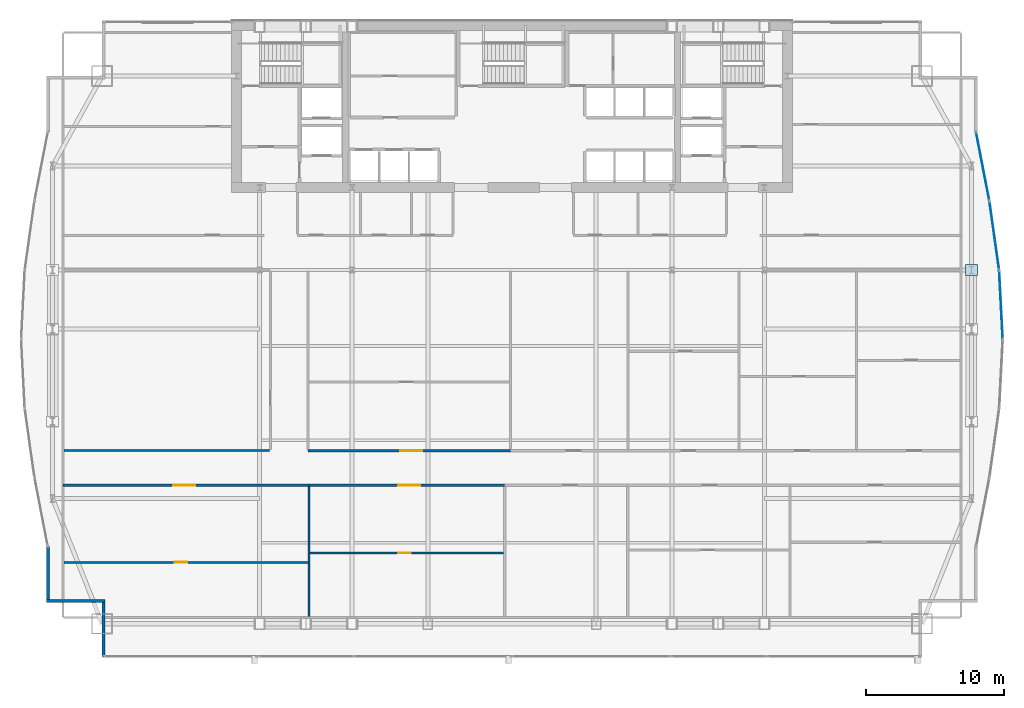
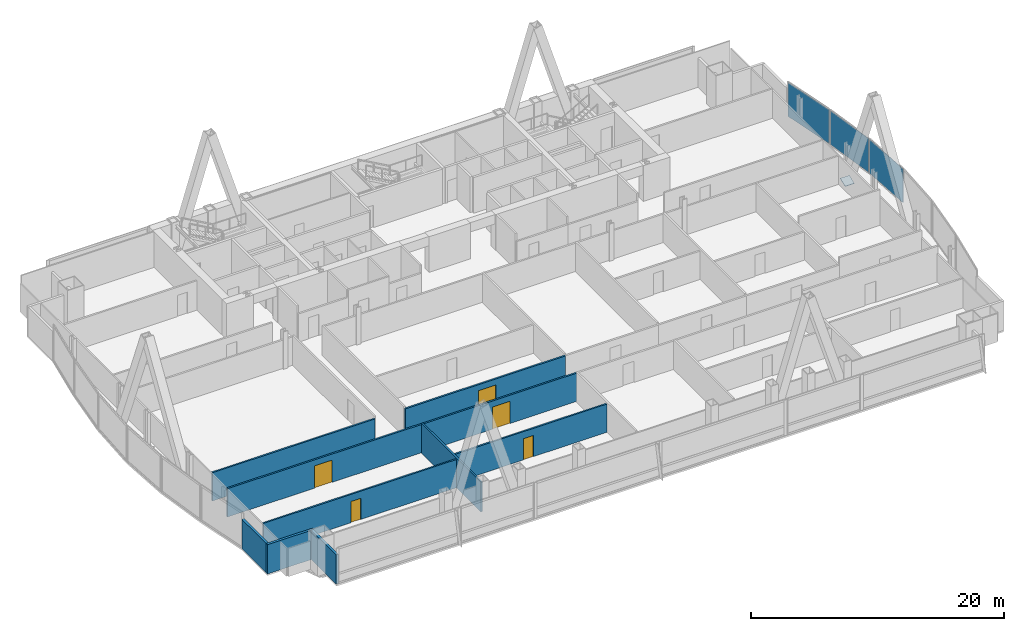
# One storey, part 26 of 33: 10 walls, 5 doors, 4 plates, 5 openings, 3 elements without a shape of their own.
"""IFC4 building model written with IfcOpenShell, lengths in metres."""

from ifc_helpers import new_model, si_unit, direction, frame, frame_2d, origin, origin_2d, place, context, subcontext, project, spatial, polyline, rectangle, outline, extrude, material, layer, layer_set, type_object, element, fill, aggregate, save


model = new_model("IFC4")

# Units and contexts
model_context = context("Model", 3, precision=1e-05, world=origin(), true_north=direction((0.0, 1.0)))
body_context = subcontext(model_context, "Body", "Model", "MODEL_VIEW")
ifc_project = project(units=[si_unit("LENGTHUNIT", "METRE"), si_unit("AREAUNIT", "SQUARE_METRE"), si_unit("VOLUMEUNIT", "CUBIC_METRE"), si_unit("PLANEANGLEUNIT", "RADIAN"), si_unit("MASSUNIT", "GRAM", prefix="KILO")], contexts=[model_context])

# Site, building, storey
site_placement = place(None, origin())
site = spatial("IfcSite", under=ifc_project, at=site_placement, CompositionType="ELEMENT")
building_placement = place(site_placement, origin())
building = spatial("IfcBuilding", under=site, at=building_placement, Name="Khoronbel Lancet Exchange", CompositionType="ELEMENT")
storey_placement = place(building_placement, frame((0.0, 0.0, 118.199951171875)))
storey = spatial("IfcBuildingStorey", under=building, at=storey_placement, Name="L28", CompositionType="ELEMENT", Elevation=118.199951171875)

# Curtain wall, plate
ifc_material_1 = material(Name="Low-E Solar Control Insulating Glass", Category="glass")
curtain_wall_type = type_object("IfcCurtainWallType", Name="CW-4", PredefinedType="NOTDEFINED", material=ifc_material_1)
curtain_wall_1_placement = place(storey_placement, origin())
curtain_wall_1 = element("IfcCurtainWall", 1, at=curtain_wall_1_placement, inside=storey, type_object=curtain_wall_type, Name="Unitised curtain wall CW-L28-E18", PredefinedType="NOTDEFINED")
ifc_material_2 = material(Name="Bronze-Anodised Aluminium 6063-T6", Category="aluminium")
ifc_layer_1 = layer(ifc_material_2, 0.050048828125, Name="Bronze-Anodised Aluminium 6063-T6")
ifc_layer_set_1 = layer_set([ifc_layer_1], Name="Bronze-Anodised Aluminium 6063-T6")
plate_type_1 = type_object("IfcPlateType", Name="PLT-CSP1", PredefinedType="SHEET", material=ifc_layer_set_1)
plate_1_placement = place(storey_placement, frame((71.279296875, 38.188232421875, 0.0849609375), z_axis=(0.0, 0.0, 1.0), x_axis=(0.139924986756, -0.990162106971, 0.0)))
plate_1 = element("IfcPlate", 2, at=plate_1_placement, type_object=plate_type_1, Name="CW4 panel 1.1", PredefinedType="CURTAIN_PANEL", context=body_context, shape_type="SweptSolid", body=[
    extrude(rectangle(XDim=4.893310546875, YDim=0.0380859375, at=origin_2d()), origin(), (0.0, 0.0, 1.0), 3.27001953125),
])
aggregate(curtain_wall_1, [plate_1])

curtain_wall_2_placement = place(storey_placement, origin())
curtain_wall_2 = element("IfcCurtainWall", 3, at=curtain_wall_2_placement, inside=storey, type_object=curtain_wall_type, Name="Unitised curtain wall CW-L28-E19", PredefinedType="NOTDEFINED")
plate_2_placement = place(storey_placement, frame((71.76123046875, 33.19580078125, 0.0849609375), z_axis=(0.0, 0.0, 1.0), x_axis=(0.051659901994, -0.998664735798, 0.0)))
plate_2 = element("IfcPlate", 4, at=plate_2_placement, type_object=plate_type_1, Name="CW4 panel 1.1", PredefinedType="CURTAIN_PANEL", context=body_context, shape_type="SweptSolid", body=[
    extrude(rectangle(XDim=4.84814453125, YDim=0.0380859375, at=origin_2d()), origin(), (0.0, 0.0, 1.0), 3.27001953125),
])
aggregate(curtain_wall_2, [plate_2])

curtain_wall_3_placement = place(storey_placement, origin())
curtain_wall_3 = element("IfcCurtainWall", 5, at=curtain_wall_3_placement, inside=storey, type_object=curtain_wall_type, Name="Unitised curtain wall CW-L28-E17", PredefinedType="NOTDEFINED")
ifc_material_3 = material(Name="Ceramic-Fritted Laminated Insulating Glass", Category="glass")
ifc_layer_2 = layer(ifc_material_3, 0.0419921875, Name="Ceramic-Fritted Laminated Insulating Glass")
ifc_layer_set_2 = layer_set([ifc_layer_2], Name="Ceramic-Fritted Laminated Insulating Glass")
plate_type_2 = type_object("IfcPlateType", Name="PLT-CWP2", PredefinedType="CURTAIN_PANEL", material=ifc_layer_set_2)
plate_3_placement = place(storey_placement, frame((70.443115234375, 43.188232421875, 0.0849609375), z_axis=(0.0, 0.0, 1.0), x_axis=(0.189541332498, -0.981872742913, 0.0)))
plate_3 = element("IfcPlate", 6, at=plate_3_placement, type_object=plate_type_2, Name="CW4 panel 1.1", PredefinedType="CURTAIN_PANEL", context=body_context, shape_type="SweptSolid", body=[
    extrude(rectangle(XDim=4.94873046875, YDim=0.0380859375, at=origin_2d()), origin(), (0.0, 0.0, 1.0), 3.27001953125),
])
aggregate(curtain_wall_3, [plate_3])

# Plate
ifc_material_4 = material(Name="Steel S460", Category="steel")
ifc_layer_3 = layer(ifc_material_4, 0.044921875, Name="Steel S460")
ifc_layer_set_3 = layer_set([ifc_layer_3], Name="Steel S460")
plate_type_3 = type_object("IfcPlateType", Name="PLT-ECP1", PredefinedType="USERDEFINED", material=ifc_layer_set_3)
plate_4_placement = place(storey_placement, frame((69.2099609375, 35.30517578125, -0.143310546875), z_axis=(0.0, -0.367980392152, 0.929833550154), x_axis=(1.0, 0.0, 0.0)))
element("IfcPlate", 7, at=plate_4_placement, inside=storey, type_object=plate_type_3, Name="Hollow end cap plate PLT-CAP-MEM-MB-T09-E-P-R-0", ObjectType="STIFFENER_PLATE", PredefinedType="USERDEFINED", context=body_context, shape_type="SweptSolid", body=[
    extrude(outline(polyline([(0.0, 0.0), (0.840087890625, 0.0), (0.840087890625, 0.83984375), (0.0, 0.83984375), (0.0, 0.0)])), origin(), (0.0, 0.0, -1.0), 0.044921875),
])

# Walls
ifc_material_5 = material(Name="Precast concrete C40/50", Category="concrete")
ifc_layer_4 = layer(ifc_material_5, 0.25, Name="Precast concrete C40/50")
ifc_layer_set_4 = layer_set([ifc_layer_4], Name="Precast concrete C40/50")
wall_type_1 = type_object("IfcWallType", Name="WL-EXT250", PredefinedType="SOLIDWALL", material=ifc_layer_set_4)
wall_1_placement = place(storey_placement, frame((6.93994140625, 7.77001953125, 0.0), z_axis=(0.0, 0.0, 1.0), x_axis=(0.0, 1.0, 0.0)))
element("IfcWall", 8, at=wall_1_placement, inside=storey, type_object=wall_type_1, Name="Level L28 notched-corner limestone pier 01", PredefinedType="SOLIDWALL", context=body_context, shape_type="SweptSolid", body=[
    extrude(rectangle(XDim=3.909912109375, YDim=0.219970703125, at=frame_2d((1.955078125, 0.0))), origin(), (0.0, 0.0, 1.0), 2.830078125),
])
wall_2_placement = place(storey_placement, frame((7.050048828125, 11.7900390625, 0.0), z_axis=(0.0, 0.0, 1.0), x_axis=(-1.0, 0.0, 0.0)))
element("IfcWall", 9, at=wall_2_placement, inside=storey, type_object=wall_type_1, Name="Level L28 notched-corner limestone pier 02", PredefinedType="SOLIDWALL", context=body_context, shape_type="SweptSolid", body=[
    extrude(rectangle(XDim=4.219970703125, YDim=0.219970703125, at=frame_2d((2.10986328125, 0.0))), origin(), (0.0, 0.0, 1.0), 2.830078125),
])
wall_3_placement = place(storey_placement, frame((2.93994140625, 11.89990234375, 0.0), z_axis=(0.0, 0.0, 1.0), x_axis=(0.0, 1.0, 0.0)))
element("IfcWall", 10, at=wall_3_placement, inside=storey, type_object=wall_type_1, Name="Level L28 notched-corner limestone pier 03", PredefinedType="SOLIDWALL", context=body_context, shape_type="SweptSolid", body=[
    extrude(rectangle(XDim=3.82861328125, YDim=0.219970703125, at=frame_2d((1.914306640625, 0.0))), origin(), (0.0, 0.0, 1.0), 2.830078125),
])

# Wall, opening, door
ifc_material_6 = material(Name="Acoustic Metal-Stud & Mineral-Wool Gypsum Partition 120 mm", Category="gypsum")
ifc_layer_5 = layer(ifc_material_6, 0.1201171875, Name="Acoustic Metal-Stud & Mineral-Wool Gypsum Partition 120 mm")
ifc_layer_set_5 = layer_set([ifc_layer_5], Name="Acoustic Metal-Stud & Mineral-Wool Gypsum Partition 120 mm")
wall_type_2 = type_object("IfcWallType", Name="WL-PRT120", PredefinedType="PARTITIONING", material=ifc_layer_set_5)
wall_4_placement = place(storey_placement, frame((4.094970703125, 14.58447265625, 0.0), z_axis=(0.0, 0.0, 1.0), x_axis=(1.0, 0.0, 0.0)))
wall_4 = element("IfcWall", 11, at=wall_4_placement, inside=storey, type_object=wall_type_2, Name="Level L28 interior partition PW-Z2S-H1", PredefinedType="PARTITIONING", context=body_context, shape_type="SweptSolid", body=[
    extrude(rectangle(XDim=17.6201171875, YDim=0.14990234375, at=frame_2d((8.81005859375, 0.0))), origin(), (0.0, 0.0, 1.0), 2.72998046875),
])
opening_1_placement = place(wall_4_placement, frame((7.994384765625, 0.0, 0.0)))
opening_1 = element("IfcOpeningElement", 12, at=opening_1_placement, cuts=wall_4, Name="Opening D5", PredefinedType="OPENING", context=body_context, shape_type="SweptSolid", body=[
    extrude(rectangle(XDim=0.89990234375, YDim=2.050048828125, at=frame_2d((0.449951171875, 1.02490234375))), frame((0.0, 0.0849609375, 0.0), z_axis=(0.0, -1.0, 0.0), x_axis=(1.0, 0.0, 0.0)), (0.0, 0.0, 1.0), 0.169921875),
])
ifc_material_7 = material(Name="Acoustic Timber Pantry & Support Door", Category="wood")
door_type_1 = type_object("IfcDoorType", Name="DR-D5", OperationType="NOTDEFINED", PredefinedType="DOOR", material=ifc_material_7)
door_1_placement = place(opening_1_placement, origin())
door_1 = element("IfcDoor", 13, at=door_1_placement, inside=storey, type_object=door_type_1, Name="Z2S inner door 1 L28-1", OperationType="SINGLE_SWING_LEFT", OverallHeight=2.050048828125, OverallWidth=0.89990234375, PredefinedType="DOOR", context=body_context, shape_type="SweptSolid", body=[
    extrude(rectangle(XDim=0.89990234375, YDim=2.050048828125, at=frame_2d((0.449951171875, 1.02490234375))), frame((0.0, 0.02490234375, 0.0), z_axis=(0.0, -1.0, 0.0), x_axis=(1.0, 0.0, 0.0)), (0.0, 0.0, 1.0), 0.050048828125),
])
fill(opening_1, door_1)

wall_5_placement = place(storey_placement, frame((21.875, 15.260986328125, 0.0), z_axis=(0.0, 0.0, 1.0), x_axis=(1.0, 0.0, 0.0)))
wall_5 = element("IfcWall", 14, at=wall_5_placement, inside=storey, type_object=wall_type_2, Name="Level L28 interior partition PW-Z2S-H2", PredefinedType="PARTITIONING", context=body_context, shape_type="SweptSolid", body=[
    extrude(rectangle(XDim=13.968994140625, YDim=0.14990234375, at=frame_2d((6.984375, 0.0))), origin(), (0.0, 0.0, 1.0), 2.72998046875),
])
opening_2_placement = place(wall_5_placement, frame((6.358154296875, 0.0, 0.0)))
opening_2 = element("IfcOpeningElement", 15, at=opening_2_placement, cuts=wall_5, Name="Opening D5", PredefinedType="OPENING", context=body_context, shape_type="SweptSolid", body=[
    extrude(rectangle(XDim=0.89990234375, YDim=2.050048828125, at=frame_2d((0.449951171875, 1.02490234375))), frame((0.0, 0.0849609375, 0.0), z_axis=(0.0, -1.0, 0.0), x_axis=(1.0, 0.0, 0.0)), (0.0, 0.0, 1.0), 0.169921875),
])
door_2_placement = place(opening_2_placement, origin())
door_2 = element("IfcDoor", 16, at=door_2_placement, inside=storey, type_object=door_type_1, Name="Z2S inner door 2 L28-1", OperationType="SINGLE_SWING_RIGHT", OverallHeight=2.050048828125, OverallWidth=0.89990234375, PredefinedType="DOOR", context=body_context, shape_type="SweptSolid", body=[
    extrude(rectangle(XDim=0.89990234375, YDim=2.050048828125, at=frame_2d((0.449951171875, 1.02490234375))), frame((0.0, 0.02490234375, 0.0), z_axis=(0.0, -1.0, 0.0), x_axis=(1.0, 0.0, 0.0)), (0.0, 0.0, 1.0), 0.050048828125),
])
fill(opening_2, door_2)

# Walls
ifc_material_8 = material(Name="Fire-Rated Twin-Stud Acoustic Gypsum Partition 150 mm", Category="gypsum")
ifc_layer_6 = layer(ifc_material_8, 0.14990234375, Name="Fire-Rated Twin-Stud Acoustic Gypsum Partition 150 mm")
ifc_layer_set_6 = layer_set([ifc_layer_6], Name="Fire-Rated Twin-Stud Acoustic Gypsum Partition 150 mm")
wall_type_3 = type_object("IfcWallType", Name="WL-PRT150C", PredefinedType="PARTITIONING", material=ifc_layer_set_6)
wall_6_placement = place(storey_placement, frame((21.795166015625, 10.6650390625, 0.0), z_axis=(0.0, 0.0, 1.0), x_axis=(0.0, 1.0, 0.0)))
element("IfcWall", 17, at=wall_6_placement, inside=storey, type_object=wall_type_3, Name="Level L28 interior partition PW-Z2S-V1", PredefinedType="PARTITIONING", context=body_context, shape_type="SweptSolid", body=[
    extrude(rectangle(XDim=9.39990234375, YDim=0.14990234375, at=frame_2d((4.699951171875, 0.0))), origin(), (0.0, 0.0, 1.0), 2.880126953125),
])
wall_7_placement = place(storey_placement, frame((4.094970703125, 22.64990234375, 0.0), z_axis=(0.0, 0.0, 1.0), x_axis=(1.0, 0.0, 0.0)))
element("IfcWall", 18, at=wall_7_placement, inside=storey, type_object=wall_type_3, Name="Level L28 interior partition PW-Z2-WS", PredefinedType="PARTITIONING", context=body_context, shape_type="SweptSolid", body=[
    extrude(rectangle(XDim=14.844970703125, YDim=0.14990234375, at=frame_2d((7.42236328125, 0.0))), origin(), (0.0, 0.0, 1.0), 2.72998046875),
])

# Wall, opening, door
ifc_material_9 = material(Name="Fire-Rated Twin-Stud Acoustic Gypsum Partition 160 mm", Category="gypsum")
ifc_layer_7 = layer(ifc_material_9, 0.159912109375, Name="Fire-Rated Twin-Stud Acoustic Gypsum Partition 160 mm")
ifc_layer_set_7 = layer_set([ifc_layer_7], Name="Fire-Rated Twin-Stud Acoustic Gypsum Partition 160 mm")
wall_type_4 = type_object("IfcWallType", Name="WL-PRT160C", PredefinedType="PARTITIONING", material=ifc_layer_set_7)
wall_8_placement = place(storey_placement, frame((4.030029296875, 20.14990234375, 0.0), z_axis=(0.0, 0.0, 1.0), x_axis=(1.0, 0.0, 0.0)))
wall_8 = element("IfcWall", 19, at=wall_8_placement, inside=storey, type_object=wall_type_4, Name="Level L28 interior partition PW-Z2S-COR1", PredefinedType="PARTITIONING", context=body_context, shape_type="SweptSolid", body=[
    extrude(rectangle(XDim=17.76513671875, YDim=0.159912109375, at=frame_2d((8.882568359375, 0.0))), origin(), (0.0, 0.0, 1.0), 2.72998046875),
])
opening_3_placement = place(wall_8_placement, frame((7.961181640625, 0.0, 0.0)))
opening_3 = element("IfcOpeningElement", 20, at=opening_3_placement, cuts=wall_8, Name="Opening D3", PredefinedType="OPENING", context=body_context, shape_type="SweptSolid", body=[
    extrude(rectangle(XDim=1.60009765625, YDim=2.14990234375, at=frame_2d((0.800048828125, 1.074951171875))), frame((0.0, 0.08984375, 0.0), z_axis=(0.0, -1.0, 0.0), x_axis=(1.0, 0.0, 0.0)), (0.0, 0.0, 1.0), 0.179931640625),
])
ifc_material_10 = material(Name="Glazed Bronze-Framed Double Suite Door", Category="aluminium")
door_type_2 = type_object("IfcDoorType", Name="DR-D3", OperationType="NOTDEFINED", PredefinedType="DOOR", material=ifc_material_10)
door_3_placement = place(opening_3_placement, origin())
door_3 = element("IfcDoor", 21, at=door_3_placement, inside=storey, type_object=door_type_2, Name="Z2S bay 1 door L28-1", OperationType="DOUBLE_DOOR_SINGLE_SWING", OverallHeight=2.14990234375, OverallWidth=1.60009765625, PredefinedType="DOOR", context=body_context, shape_type="SweptSolid", body=[
    extrude(rectangle(XDim=1.60009765625, YDim=2.14990234375, at=frame_2d((0.800048828125, 1.074951171875))), frame((0.0, 0.02490234375, 0.0), z_axis=(0.0, -1.0, 0.0), x_axis=(1.0, 0.0, 0.0)), (0.0, 0.0, 1.0), 0.050048828125),
])
fill(opening_3, door_3)

wall_9_placement = place(storey_placement, frame((21.795166015625, 20.14990234375, 0.0), z_axis=(0.0, 0.0, 1.0), x_axis=(1.0, 0.0, 0.0)))
wall_9 = element("IfcWall", 22, at=wall_9_placement, inside=storey, type_object=wall_type_4, Name="Level L28 interior partition PW-Z2S-COR2", PredefinedType="PARTITIONING", context=body_context, shape_type="SweptSolid", body=[
    extrude(rectangle(XDim=14.12890625, YDim=0.159912109375, at=frame_2d((7.064453125, 0.0))), origin(), (0.0, 0.0, 1.0), 2.72998046875),
])
opening_4_placement = place(wall_9_placement, frame((6.43408203125, 0.0, 0.0)))
opening_4 = element("IfcOpeningElement", 23, at=opening_4_placement, cuts=wall_9, Name="Opening D3", PredefinedType="OPENING", context=body_context, shape_type="SweptSolid", body=[
    extrude(rectangle(XDim=1.60009765625, YDim=2.14990234375, at=frame_2d((0.800048828125, 1.074951171875))), frame((0.0, 0.08984375, 0.0), z_axis=(0.0, -1.0, 0.0), x_axis=(1.0, 0.0, 0.0)), (0.0, 0.0, 1.0), 0.179931640625),
])
door_4_placement = place(opening_4_placement, origin())
door_4 = element("IfcDoor", 24, at=door_4_placement, inside=storey, type_object=door_type_2, Name="Z2S bay 2 door L28-1", OperationType="DOUBLE_DOOR_SINGLE_SWING", OverallHeight=2.14990234375, OverallWidth=1.60009765625, PredefinedType="DOOR", context=body_context, shape_type="SweptSolid", body=[
    extrude(rectangle(XDim=1.60009765625, YDim=2.14990234375, at=frame_2d((0.800048828125, 1.074951171875))), frame((0.0, 0.02490234375, 0.0), z_axis=(0.0, -1.0, 0.0), x_axis=(1.0, 0.0, 0.0)), (0.0, 0.0, 1.0), 0.050048828125),
])
fill(opening_4, door_4)

wall_10_placement = place(storey_placement, frame((21.72998046875, 22.64990234375, 0.0), z_axis=(0.0, 0.0, 1.0), x_axis=(1.0, 0.0, 0.0)))
wall_10 = element("IfcWall", 25, at=wall_10_placement, inside=storey, type_object=wall_type_4, Name="Level L28 interior partition PW-Z2N-COR1", PredefinedType="PARTITIONING", context=body_context, shape_type="SweptSolid", body=[
    extrude(rectangle(XDim=14.613525390625, YDim=0.159912109375, at=frame_2d((7.306640625, 0.0))), origin(), (0.0, 0.0, 1.0), 2.72998046875),
])
opening_5_placement = place(wall_10_placement, frame((6.6376953125, 0.0, 0.0)))
opening_5 = element("IfcOpeningElement", 26, at=opening_5_placement, cuts=wall_10, Name="Opening D3", PredefinedType="OPENING", context=body_context, shape_type="SweptSolid", body=[
    extrude(rectangle(XDim=1.60009765625, YDim=2.14990234375, at=frame_2d((0.800048828125, 1.074951171875))), frame((0.0, 0.08984375, 0.0), z_axis=(0.0, -1.0, 0.0), x_axis=(1.0, 0.0, 0.0)), (0.0, 0.0, 1.0), 0.179931640625),
])
door_5_placement = place(opening_5_placement, origin())
door_5 = element("IfcDoor", 27, at=door_5_placement, inside=storey, type_object=door_type_2, Name="Z2N bay 1 door L28-1", OperationType="DOUBLE_DOOR_SINGLE_SWING", OverallHeight=2.14990234375, OverallWidth=1.60009765625, PredefinedType="DOOR", context=body_context, shape_type="SweptSolid", body=[
    extrude(rectangle(XDim=1.60009765625, YDim=2.14990234375, at=frame_2d((0.800048828125, 1.074951171875))), frame((0.0, 0.02490234375, 0.0), z_axis=(0.0, -1.0, 0.0), x_axis=(1.0, 0.0, 0.0)), (0.0, 0.0, 1.0), 0.050048828125),
])
fill(opening_5, door_5)

save(model, "model.ifc")
